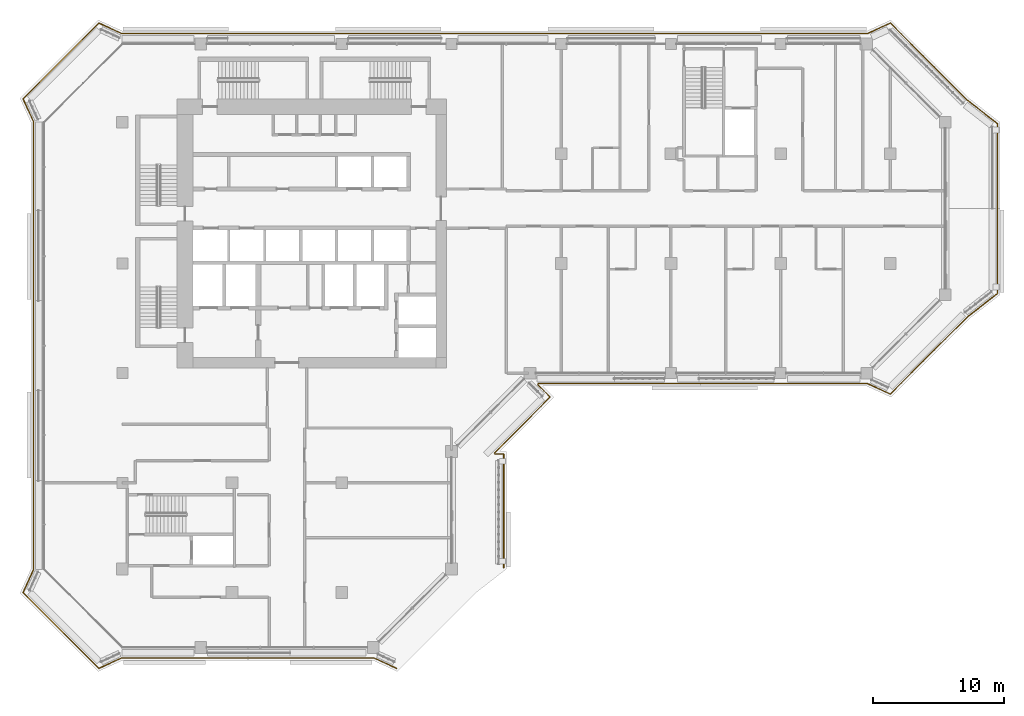
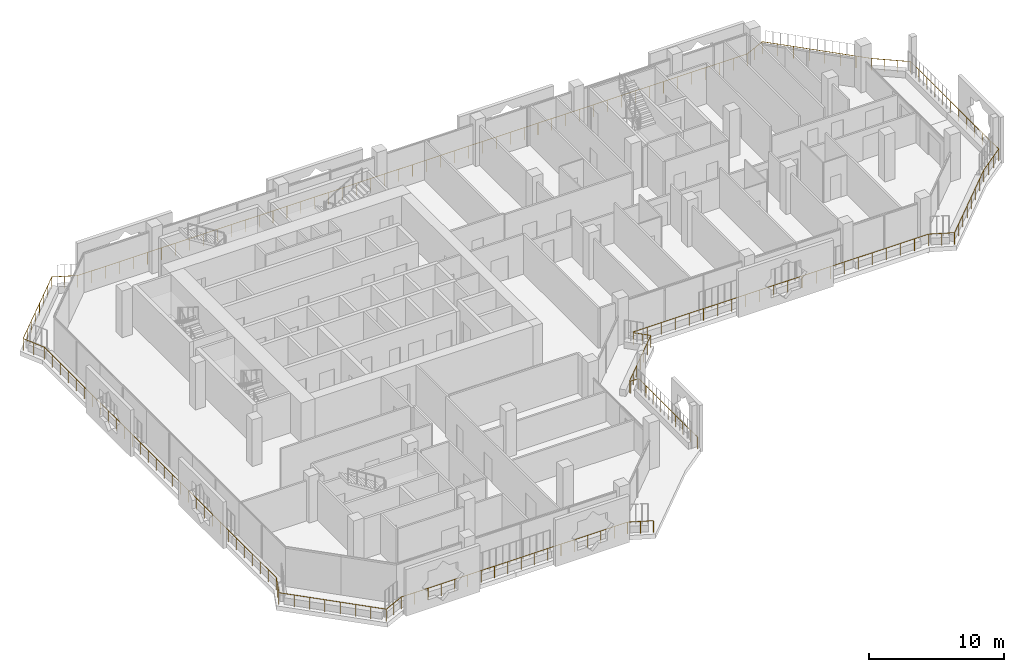
# One storey, part 17 of 21: 1 railing.
"""IFC4 building model written with IfcOpenShell, lengths in metres."""

from ifc_helpers import new_model, si_unit, direction, frame, origin, origin_2d, place, context, subcontext, project, spatial, circle, extrude, material, type_object, element, save


model = new_model("IFC4")

# Units and contexts
model_context = context("Model", 3, precision=1e-05, world=origin(), true_north=direction((0.0, 1.0)))
body_context = subcontext(model_context, "Body", "Model", "MODEL_VIEW")
ifc_project = project(units=[si_unit("LENGTHUNIT", "METRE"), si_unit("AREAUNIT", "SQUARE_METRE"), si_unit("VOLUMEUNIT", "CUBIC_METRE"), si_unit("PLANEANGLEUNIT", "RADIAN"), si_unit("MASSUNIT", "GRAM", prefix="KILO")], contexts=[model_context])

# Site, building, storey
site_placement = place(None, origin())
site = spatial("IfcSite", under=ifc_project, at=site_placement, CompositionType="ELEMENT")
building_placement = place(site_placement, origin())
building = spatial("IfcBuilding", under=site, at=building_placement, Name="Kawkab Arch Medical Tower", CompositionType="ELEMENT")
storey_placement = place(building_placement, frame((0.0, 0.0, 243.199951171875)))
storey = spatial("IfcBuildingStorey", under=building, at=storey_placement, Name="L56", CompositionType="ELEMENT", Elevation=243.199951171875)

# Railing
ifc_material = material(Name="Bronze anodised aluminium guard", Category="aluminium")
railing_type = type_object("IfcRailingType", Name="Loggia and terrace guard 1100", PredefinedType="GUARDRAIL", material=ifc_material)
railing_placement = place(storey_placement, frame((20.9951171875, -47.798095703125, 0.0)))
element("IfcRailing", 1, at=railing_placement, inside=storey, type_object=railing_type, Name="Guard L56.LOG-01.1.1", PredefinedType="GUARDRAIL", context=body_context, shape_type="SweptSolid", body=[
    extrude(circle(Radius=0.02392578125, at=origin_2d()), frame((0.0, 0.0, 1.076171875), z_axis=(-0.910044860056, 0.414509773934, 0.0), x_axis=(-0.414509773934, -0.910044860056, 0.0)), (0.0, 0.0, 1.0), 1.92529296875),
    extrude(circle(Radius=0.02392578125, at=origin_2d()), frame((-1.752197265625, 0.798095703125, 1.076171875), z_axis=(-1.0, 0.0, 0.0), x_axis=(0.0, -1.0, 0.0)), (0.0, 0.0, 1.0), 19.285888671875),
    extrude(circle(Radius=0.02392578125, at=origin_2d()), frame((-21.0380859375, 0.798095703125, 1.076171875), z_axis=(-0.910023069687, -0.414557610759, 0.0), x_axis=(0.414557610759, -0.910023069687, 0.0)), (0.0, 0.0, 1.0), 1.92529296875),
    extrude(circle(Radius=0.02392578125, at=origin_2d()), frame((-22.7900390625, 0.0, 1.076171875), z_axis=(-0.707106781187, 0.707106781187, 0.0), x_axis=(-0.707106781187, -0.707106781187, 0.0)), (0.0, 0.0, 1.0), 8.20654296875),
    extrude(circle(Radius=0.02392578125, at=origin_2d()), frame((-28.593017578125, 5.802978515625, 1.076171875), z_axis=(0.414404752076, 0.910092688388, 0.0), x_axis=(-0.910092688388, 0.414404752076, 0.0)), (0.0, 0.0, 1.0), 1.92529296875),
    extrude(circle(Radius=0.02392578125, at=origin_2d()), frame((-27.795166015625, 7.55517578125, 1.076171875), z_axis=(0.0, 1.0, 0.0), x_axis=(-1.0, 0.0, 0.0)), (0.0, 0.0, 1.0), 34.285888671875),
    extrude(circle(Radius=0.02392578125, at=origin_2d()), frame((-27.795166015625, 41.841064453125, 1.076171875), z_axis=(-0.414452581809, 0.910070907914, 0.0), x_axis=(-0.910070907914, -0.414452581809, 0.0)), (0.0, 0.0, 1.0), 1.925048828125),
    extrude(circle(Radius=0.02392578125, at=origin_2d()), frame((-28.593017578125, 43.593017578125, 1.076171875), z_axis=(0.707106781187, 0.707106781187, 0.0), x_axis=(-0.707106781187, 0.707106781187, 0.0)), (0.0, 0.0, 1.0), 8.20654296875),
    extrude(circle(Radius=0.02392578125, at=origin_2d()), frame((-22.7900390625, 49.39599609375, 1.076171875), z_axis=(0.910070907914, -0.414452581809, 0.0), x_axis=(0.414452581809, 0.910070907914, 0.0)), (0.0, 0.0, 1.0), 1.925048828125),
    extrude(circle(Radius=0.02392578125, at=origin_2d()), frame((-21.0380859375, 48.59814453125, 1.076171875), z_axis=(1.0, 0.0, 0.0), x_axis=(0.0, 1.0, 0.0)), (0.0, 0.0, 1.0), 57.0859375),
    extrude(circle(Radius=0.02392578125, at=origin_2d()), frame((36.0478515625, 48.59814453125, 1.076171875), z_axis=(0.910070907914, 0.414452581809, 0.0), x_axis=(-0.414452581809, 0.910070907914, 0.0)), (0.0, 0.0, 1.0), 1.925048828125),
    extrude(circle(Radius=0.02392578125, at=origin_2d()), frame((37.7998046875, 49.39599609375, 1.076171875), z_axis=(0.707121386154, -0.707092175918, 0.0), x_axis=(0.707092175918, 0.707121386154, 0.0)), (0.0, 0.0, 1.0), 8.358154296875),
    extrude(circle(Radius=0.02392578125, at=origin_2d()), frame((43.7099609375, 43.486083984375, 1.076171875), z_axis=(0.789193964876, -0.614144026922, 0.0), x_axis=(0.614144026922, 0.789193964876, 0.0)), (0.0, 0.0, 1.0), 2.907958984375),
    extrude(circle(Radius=0.02392578125, at=origin_2d()), frame((46.0048828125, 41.7001953125, 1.076171875), z_axis=(0.0, -1.0, 0.0), x_axis=(1.0, 0.0, 0.0)), (0.0, 0.0, 1.0), 13.004150390625),
    extrude(circle(Radius=0.02392578125, at=origin_2d()), frame((46.0048828125, 28.696044921875, 1.076171875), z_axis=(-0.789193964876, -0.614144026922, 0.0), x_axis=(0.614144026922, -0.789193964876, 0.0)), (0.0, 0.0, 1.0), 2.907958984375),
    extrude(circle(Radius=0.02392578125, at=origin_2d()), frame((43.7099609375, 26.91015625, 1.076171875), z_axis=(-0.707106781187, -0.707106781187, 0.0), x_axis=(0.707106781187, -0.707106781187, 0.0)), (0.0, 0.0, 1.0), 8.358154296875),
    extrude(circle(Radius=0.02392578125, at=origin_2d()), frame((37.7998046875, 21.0, 1.076171875), z_axis=(-0.910023069687, 0.414557610759, 0.0), x_axis=(-0.414557610759, -0.910023069687, 0.0)), (0.0, 0.0, 1.0), 1.92529296875),
    extrude(circle(Radius=0.02392578125, at=origin_2d()), frame((36.0478515625, 21.798095703125, 1.076171875), z_axis=(-1.0, 0.0, 0.0), x_axis=(0.0, -1.0, 0.0)), (0.0, 0.0, 1.0), 25.19287109375),
    extrude(circle(Radius=0.02392578125, at=origin_2d()), frame((10.85498046875, 21.798095703125, 1.076171875), z_axis=(-0.383763674343, -0.923431341387, 0.0), x_axis=(0.923431341387, -0.383763674343, 0.0)), (0.0, 0.0, 1.0), 0.101806640625),
    extrude(circle(Radius=0.02392578125, at=origin_2d()), frame((10.81591796875, 21.7041015625, 1.076171875), z_axis=(0.707015335112, -0.707198215437, 0.0), x_axis=(0.707198215437, 0.707015335112, 0.0)), (0.0, 0.0, 1.0), 1.3349609375),
    extrude(circle(Radius=0.02392578125, at=origin_2d()), frame((11.759765625, 20.760009765625, 1.076171875), z_axis=(-0.707025867263, -0.707187685852, 0.0), x_axis=(0.707187685852, -0.707025867263, 0.0)), (0.0, 0.0, 1.0), 6.034912109375),
    extrude(circle(Radius=0.02392578125, at=origin_2d()), frame((7.492919921875, 16.4921875, 1.076171875), z_axis=(0.383763674343, -0.923431341387, 0.0), x_axis=(0.923431341387, 0.383763674343, 0.0)), (0.0, 0.0, 1.0), 0.101806640625),
    extrude(circle(Radius=0.02392578125, at=origin_2d()), frame((7.531982421875, 16.398193359375, 1.076171875), z_axis=(1.0, 0.0, 0.0), x_axis=(0.0, 1.0, 0.0)), (0.0, 0.0, 1.0), 0.6728515625),
    extrude(circle(Radius=0.02392578125, at=origin_2d()), frame((8.204833984375, 16.398193359375, 1.076171875), z_axis=(0.0, -1.0, 0.0), x_axis=(1.0, 0.0, 0.0)), (0.0, 0.0, 1.0), 8.7021484375),
    extrude(circle(Radius=0.02099609375, at=origin_2d()), origin(), (0.0, 0.0, 1.0), 1.052001953125),
    extrude(circle(Radius=0.02099609375, at=origin_2d()), frame((-0.8759765625, 0.39892578125, 0.0)), (0.0, 0.0, 1.0), 1.052001953125),
    extrude(circle(Radius=0.02099609375, at=origin_2d()), frame((-1.752197265625, 0.798095703125, 0.0)), (0.0, 0.0, 1.0), 1.052001953125),
    extrude(circle(Radius=0.02099609375, at=origin_2d()), frame((-2.88671875, 0.798095703125, 0.0)), (0.0, 0.0, 1.0), 1.052001953125),
    extrude(circle(Radius=0.02099609375, at=origin_2d()), frame((-4.021240234375, 0.798095703125, 0.0)), (0.0, 0.0, 1.0), 1.052001953125),
    extrude(circle(Radius=0.02099609375, at=origin_2d()), frame((-5.155517578125, 0.798095703125, 0.0)), (0.0, 0.0, 1.0), 1.052001953125),
    extrude(circle(Radius=0.02099609375, at=origin_2d()), frame((-6.2900390625, 0.798095703125, 0.0)), (0.0, 0.0, 1.0), 1.052001953125),
    extrude(circle(Radius=0.02099609375, at=origin_2d()), frame((-7.424560546875, 0.798095703125, 0.0)), (0.0, 0.0, 1.0), 1.052001953125),
    extrude(circle(Radius=0.02099609375, at=origin_2d()), frame((-8.55908203125, 0.798095703125, 0.0)), (0.0, 0.0, 1.0), 1.052001953125),
    extrude(circle(Radius=0.02099609375, at=origin_2d()), frame((-9.693359375, 0.798095703125, 0.0)), (0.0, 0.0, 1.0), 1.052001953125),
    extrude(circle(Radius=0.02099609375, at=origin_2d()), frame((-10.827880859375, 0.798095703125, 0.0)), (0.0, 0.0, 1.0), 1.052001953125),
    extrude(circle(Radius=0.02099609375, at=origin_2d()), frame((-11.96240234375, 0.798095703125, 0.0)), (0.0, 0.0, 1.0), 1.052001953125),
    extrude(circle(Radius=0.02099609375, at=origin_2d()), frame((-13.096923828125, 0.798095703125, 0.0)), (0.0, 0.0, 1.0), 1.052001953125),
    extrude(circle(Radius=0.02099609375, at=origin_2d()), frame((-14.231201171875, 0.798095703125, 0.0)), (0.0, 0.0, 1.0), 1.052001953125),
    extrude(circle(Radius=0.02099609375, at=origin_2d()), frame((-15.36572265625, 0.798095703125, 0.0)), (0.0, 0.0, 1.0), 1.052001953125),
    extrude(circle(Radius=0.02099609375, at=origin_2d()), frame((-16.500244140625, 0.798095703125, 0.0)), (0.0, 0.0, 1.0), 1.052001953125),
    extrude(circle(Radius=0.02099609375, at=origin_2d()), frame((-17.634765625, 0.798095703125, 0.0)), (0.0, 0.0, 1.0), 1.052001953125),
    extrude(circle(Radius=0.02099609375, at=origin_2d()), frame((-18.76904296875, 0.798095703125, 0.0)), (0.0, 0.0, 1.0), 1.052001953125),
    extrude(circle(Radius=0.02099609375, at=origin_2d()), frame((-19.903564453125, 0.798095703125, 0.0)), (0.0, 0.0, 1.0), 1.052001953125),
    extrude(circle(Radius=0.02099609375, at=origin_2d()), frame((-21.0380859375, 0.798095703125, 0.0)), (0.0, 0.0, 1.0), 1.052001953125),
    extrude(circle(Radius=0.02099609375, at=origin_2d()), frame((-21.9140625, 0.39892578125, 0.0)), (0.0, 0.0, 1.0), 1.052001953125),
    extrude(circle(Radius=0.02099609375, at=origin_2d()), frame((-22.7900390625, 0.0, 0.0)), (0.0, 0.0, 1.0), 1.052001953125),
    extrude(circle(Radius=0.02099609375, at=origin_2d()), frame((-23.619140625, 0.8291015625, 0.0)), (0.0, 0.0, 1.0), 1.052001953125),
    extrude(circle(Radius=0.02099609375, at=origin_2d()), frame((-24.447998046875, 1.657958984375, 0.0)), (0.0, 0.0, 1.0), 1.052001953125),
    extrude(circle(Radius=0.02099609375, at=origin_2d()), frame((-25.277099609375, 2.487060546875, 0.0)), (0.0, 0.0, 1.0), 1.052001953125),
    extrude(circle(Radius=0.02099609375, at=origin_2d()), frame((-26.10595703125, 3.31591796875, 0.0)), (0.0, 0.0, 1.0), 1.052001953125),
    extrude(circle(Radius=0.02099609375, at=origin_2d()), frame((-26.93505859375, 4.14501953125, 0.0)), (0.0, 0.0, 1.0), 1.052001953125),
    extrude(circle(Radius=0.02099609375, at=origin_2d()), frame((-27.763916015625, 4.973876953125, 0.0)), (0.0, 0.0, 1.0), 1.052001953125),
    extrude(circle(Radius=0.02099609375, at=origin_2d()), frame((-28.593017578125, 5.802978515625, 0.0)), (0.0, 0.0, 1.0), 1.052001953125),
    extrude(circle(Radius=0.02099609375, at=origin_2d()), frame((-28.194091796875, 6.67919921875, 0.0)), (0.0, 0.0, 1.0), 1.052001953125),
    extrude(circle(Radius=0.02099609375, at=origin_2d()), frame((-27.795166015625, 7.55517578125, 0.0)), (0.0, 0.0, 1.0), 1.052001953125),
    extrude(circle(Radius=0.02099609375, at=origin_2d()), frame((-27.795166015625, 8.737548828125, 0.0)), (0.0, 0.0, 1.0), 1.052001953125),
    extrude(circle(Radius=0.02099609375, at=origin_2d()), frame((-27.795166015625, 9.919677734375, 0.0)), (0.0, 0.0, 1.0), 1.052001953125),
    extrude(circle(Radius=0.02099609375, at=origin_2d()), frame((-27.795166015625, 11.10205078125, 0.0)), (0.0, 0.0, 1.0), 1.052001953125),
    extrude(circle(Radius=0.02099609375, at=origin_2d()), frame((-27.795166015625, 12.2841796875, 0.0)), (0.0, 0.0, 1.0), 1.052001953125),
    extrude(circle(Radius=0.02099609375, at=origin_2d()), frame((-27.795166015625, 13.466552734375, 0.0)), (0.0, 0.0, 1.0), 1.052001953125),
    extrude(circle(Radius=0.02099609375, at=origin_2d()), frame((-27.795166015625, 14.64892578125, 0.0)), (0.0, 0.0, 1.0), 1.052001953125),
    extrude(circle(Radius=0.02099609375, at=origin_2d()), frame((-27.795166015625, 15.8310546875, 0.0)), (0.0, 0.0, 1.0), 1.052001953125),
    extrude(circle(Radius=0.02099609375, at=origin_2d()), frame((-27.795166015625, 17.013427734375, 0.0)), (0.0, 0.0, 1.0), 1.052001953125),
    extrude(circle(Radius=0.02099609375, at=origin_2d()), frame((-27.795166015625, 18.195556640625, 0.0)), (0.0, 0.0, 1.0), 1.052001953125),
    extrude(circle(Radius=0.02099609375, at=origin_2d()), frame((-27.795166015625, 19.3779296875, 0.0)), (0.0, 0.0, 1.0), 1.052001953125),
    extrude(circle(Radius=0.02099609375, at=origin_2d()), frame((-27.795166015625, 20.56005859375, 0.0)), (0.0, 0.0, 1.0), 1.052001953125),
    extrude(circle(Radius=0.02099609375, at=origin_2d()), frame((-27.795166015625, 21.742431640625, 0.0)), (0.0, 0.0, 1.0), 1.052001953125),
    extrude(circle(Radius=0.02099609375, at=origin_2d()), frame((-27.795166015625, 22.9248046875, 0.0)), (0.0, 0.0, 1.0), 1.052001953125),
    extrude(circle(Radius=0.02099609375, at=origin_2d()), frame((-27.795166015625, 24.10693359375, 0.0)), (0.0, 0.0, 1.0), 1.052001953125),
    extrude(circle(Radius=0.02099609375, at=origin_2d()), frame((-27.795166015625, 25.289306640625, 0.0)), (0.0, 0.0, 1.0), 1.052001953125),
    extrude(circle(Radius=0.02099609375, at=origin_2d()), frame((-27.795166015625, 26.471435546875, 0.0)), (0.0, 0.0, 1.0), 1.052001953125),
    extrude(circle(Radius=0.02099609375, at=origin_2d()), frame((-27.795166015625, 27.65380859375, 0.0)), (0.0, 0.0, 1.0), 1.052001953125),
    extrude(circle(Radius=0.02099609375, at=origin_2d()), frame((-27.795166015625, 28.836181640625, 0.0)), (0.0, 0.0, 1.0), 1.052001953125),
    extrude(circle(Radius=0.02099609375, at=origin_2d()), frame((-27.795166015625, 30.018310546875, 0.0)), (0.0, 0.0, 1.0), 1.052001953125),
    extrude(circle(Radius=0.02099609375, at=origin_2d()), frame((-27.795166015625, 31.20068359375, 0.0)), (0.0, 0.0, 1.0), 1.052001953125),
    extrude(circle(Radius=0.02099609375, at=origin_2d()), frame((-27.795166015625, 32.3828125, 0.0)), (0.0, 0.0, 1.0), 1.052001953125),
    extrude(circle(Radius=0.02099609375, at=origin_2d()), frame((-27.795166015625, 33.565185546875, 0.0)), (0.0, 0.0, 1.0), 1.052001953125),
    extrude(circle(Radius=0.02099609375, at=origin_2d()), frame((-27.795166015625, 34.747314453125, 0.0)), (0.0, 0.0, 1.0), 1.052001953125),
    extrude(circle(Radius=0.02099609375, at=origin_2d()), frame((-27.795166015625, 35.9296875, 0.0)), (0.0, 0.0, 1.0), 1.052001953125),
    extrude(circle(Radius=0.02099609375, at=origin_2d()), frame((-27.795166015625, 37.112060546875, 0.0)), (0.0, 0.0, 1.0), 1.052001953125),
    extrude(circle(Radius=0.02099609375, at=origin_2d()), frame((-27.795166015625, 38.294189453125, 0.0)), (0.0, 0.0, 1.0), 1.052001953125),
    extrude(circle(Radius=0.02099609375, at=origin_2d()), frame((-27.795166015625, 39.4765625, 0.0)), (0.0, 0.0, 1.0), 1.052001953125),
    extrude(circle(Radius=0.02099609375, at=origin_2d()), frame((-27.795166015625, 40.65869140625, 0.0)), (0.0, 0.0, 1.0), 1.052001953125),
    extrude(circle(Radius=0.02099609375, at=origin_2d()), frame((-27.795166015625, 41.841064453125, 0.0)), (0.0, 0.0, 1.0), 1.052001953125),
    extrude(circle(Radius=0.02099609375, at=origin_2d()), frame((-28.194091796875, 42.717041015625, 0.0)), (0.0, 0.0, 1.0), 1.052001953125),
    extrude(circle(Radius=0.02099609375, at=origin_2d()), frame((-28.593017578125, 43.593017578125, 0.0)), (0.0, 0.0, 1.0), 1.052001953125),
    extrude(circle(Radius=0.02099609375, at=origin_2d()), frame((-27.763916015625, 44.422119140625, 0.0)), (0.0, 0.0, 1.0), 1.052001953125),
    extrude(circle(Radius=0.02099609375, at=origin_2d()), frame((-26.93505859375, 45.2509765625, 0.0)), (0.0, 0.0, 1.0), 1.052001953125),
    extrude(circle(Radius=0.02099609375, at=origin_2d()), frame((-26.10595703125, 46.080078125, 0.0)), (0.0, 0.0, 1.0), 1.052001953125),
    extrude(circle(Radius=0.02099609375, at=origin_2d()), frame((-25.277099609375, 46.908935546875, 0.0)), (0.0, 0.0, 1.0), 1.052001953125),
    extrude(circle(Radius=0.02099609375, at=origin_2d()), frame((-24.447998046875, 47.738037109375, 0.0)), (0.0, 0.0, 1.0), 1.052001953125),
    extrude(circle(Radius=0.02099609375, at=origin_2d()), frame((-23.619140625, 48.56689453125, 0.0)), (0.0, 0.0, 1.0), 1.052001953125),
    extrude(circle(Radius=0.02099609375, at=origin_2d()), frame((-22.7900390625, 49.39599609375, 0.0)), (0.0, 0.0, 1.0), 1.052001953125),
    extrude(circle(Radius=0.02099609375, at=origin_2d()), frame((-21.9140625, 48.9970703125, 0.0)), (0.0, 0.0, 1.0), 1.052001953125),
    extrude(circle(Radius=0.02099609375, at=origin_2d()), frame((-21.0380859375, 48.59814453125, 0.0)), (0.0, 0.0, 1.0), 1.052001953125),
    extrude(circle(Radius=0.02099609375, at=origin_2d()), frame((-19.848876953125, 48.59814453125, 0.0)), (0.0, 0.0, 1.0), 1.052001953125),
    extrude(circle(Radius=0.02099609375, at=origin_2d()), frame((-18.659423828125, 48.59814453125, 0.0)), (0.0, 0.0, 1.0), 1.052001953125),
    extrude(circle(Radius=0.02099609375, at=origin_2d()), frame((-17.47021484375, 48.59814453125, 0.0)), (0.0, 0.0, 1.0), 1.052001953125),
    extrude(circle(Radius=0.02099609375, at=origin_2d()), frame((-16.281005859375, 48.59814453125, 0.0)), (0.0, 0.0, 1.0), 1.052001953125),
    extrude(circle(Radius=0.02099609375, at=origin_2d()), frame((-15.091552734375, 48.59814453125, 0.0)), (0.0, 0.0, 1.0), 1.052001953125),
    extrude(circle(Radius=0.02099609375, at=origin_2d()), frame((-13.90234375, 48.59814453125, 0.0)), (0.0, 0.0, 1.0), 1.052001953125),
    extrude(circle(Radius=0.02099609375, at=origin_2d()), frame((-12.713134765625, 48.59814453125, 0.0)), (0.0, 0.0, 1.0), 1.052001953125),
    extrude(circle(Radius=0.02099609375, at=origin_2d()), frame((-11.523681640625, 48.59814453125, 0.0)), (0.0, 0.0, 1.0), 1.052001953125),
    extrude(circle(Radius=0.02099609375, at=origin_2d()), frame((-10.33447265625, 48.59814453125, 0.0)), (0.0, 0.0, 1.0), 1.052001953125),
    extrude(circle(Radius=0.02099609375, at=origin_2d()), frame((-9.145263671875, 48.59814453125, 0.0)), (0.0, 0.0, 1.0), 1.052001953125),
    extrude(circle(Radius=0.02099609375, at=origin_2d()), frame((-7.955810546875, 48.59814453125, 0.0)), (0.0, 0.0, 1.0), 1.052001953125),
    extrude(circle(Radius=0.02099609375, at=origin_2d()), frame((-6.7666015625, 48.59814453125, 0.0)), (0.0, 0.0, 1.0), 1.052001953125),
    extrude(circle(Radius=0.02099609375, at=origin_2d()), frame((-5.577392578125, 48.59814453125, 0.0)), (0.0, 0.0, 1.0), 1.052001953125),
    extrude(circle(Radius=0.02099609375, at=origin_2d()), frame((-4.387939453125, 48.59814453125, 0.0)), (0.0, 0.0, 1.0), 1.052001953125),
    extrude(circle(Radius=0.02099609375, at=origin_2d()), frame((-3.19873046875, 48.59814453125, 0.0)), (0.0, 0.0, 1.0), 1.052001953125),
    extrude(circle(Radius=0.02099609375, at=origin_2d()), frame((-2.009521484375, 48.59814453125, 0.0)), (0.0, 0.0, 1.0), 1.052001953125),
    extrude(circle(Radius=0.02099609375, at=origin_2d()), frame((-0.820068359375, 48.59814453125, 0.0)), (0.0, 0.0, 1.0), 1.052001953125),
    extrude(circle(Radius=0.02099609375, at=origin_2d()), frame((0.369140625, 48.59814453125, 0.0)), (0.0, 0.0, 1.0), 1.052001953125),
    extrude(circle(Radius=0.02099609375, at=origin_2d()), frame((1.558349609375, 48.59814453125, 0.0)), (0.0, 0.0, 1.0), 1.052001953125),
    extrude(circle(Radius=0.02099609375, at=origin_2d()), frame((2.747802734375, 48.59814453125, 0.0)), (0.0, 0.0, 1.0), 1.052001953125),
    extrude(circle(Radius=0.02099609375, at=origin_2d()), frame((3.93701171875, 48.59814453125, 0.0)), (0.0, 0.0, 1.0), 1.052001953125),
    extrude(circle(Radius=0.02099609375, at=origin_2d()), frame((5.126220703125, 48.59814453125, 0.0)), (0.0, 0.0, 1.0), 1.052001953125),
    extrude(circle(Radius=0.02099609375, at=origin_2d()), frame((6.315673828125, 48.59814453125, 0.0)), (0.0, 0.0, 1.0), 1.052001953125),
    extrude(circle(Radius=0.02099609375, at=origin_2d()), frame((7.5048828125, 48.59814453125, 0.0)), (0.0, 0.0, 1.0), 1.052001953125),
    extrude(circle(Radius=0.02099609375, at=origin_2d()), frame((8.694091796875, 48.59814453125, 0.0)), (0.0, 0.0, 1.0), 1.052001953125),
    extrude(circle(Radius=0.02099609375, at=origin_2d()), frame((9.883544921875, 48.59814453125, 0.0)), (0.0, 0.0, 1.0), 1.052001953125),
    extrude(circle(Radius=0.02099609375, at=origin_2d()), frame((11.07275390625, 48.59814453125, 0.0)), (0.0, 0.0, 1.0), 1.052001953125),
    extrude(circle(Radius=0.02099609375, at=origin_2d()), frame((12.261962890625, 48.59814453125, 0.0)), (0.0, 0.0, 1.0), 1.052001953125),
    extrude(circle(Radius=0.02099609375, at=origin_2d()), frame((13.451416015625, 48.59814453125, 0.0)), (0.0, 0.0, 1.0), 1.052001953125),
    extrude(circle(Radius=0.02099609375, at=origin_2d()), frame((14.640625, 48.59814453125, 0.0)), (0.0, 0.0, 1.0), 1.052001953125),
    extrude(circle(Radius=0.02099609375, at=origin_2d()), frame((15.829833984375, 48.59814453125, 0.0)), (0.0, 0.0, 1.0), 1.052001953125),
    extrude(circle(Radius=0.02099609375, at=origin_2d()), frame((17.019287109375, 48.59814453125, 0.0)), (0.0, 0.0, 1.0), 1.052001953125),
    extrude(circle(Radius=0.02099609375, at=origin_2d()), frame((18.20849609375, 48.59814453125, 0.0)), (0.0, 0.0, 1.0), 1.052001953125),
    extrude(circle(Radius=0.02099609375, at=origin_2d()), frame((19.397705078125, 48.59814453125, 0.0)), (0.0, 0.0, 1.0), 1.052001953125),
    extrude(circle(Radius=0.02099609375, at=origin_2d()), frame((20.587158203125, 48.59814453125, 0.0)), (0.0, 0.0, 1.0), 1.052001953125),
    extrude(circle(Radius=0.02099609375, at=origin_2d()), frame((21.7763671875, 48.59814453125, 0.0)), (0.0, 0.0, 1.0), 1.052001953125),
    extrude(circle(Radius=0.02099609375, at=origin_2d()), frame((22.965576171875, 48.59814453125, 0.0)), (0.0, 0.0, 1.0), 1.052001953125),
    extrude(circle(Radius=0.02099609375, at=origin_2d()), frame((24.155029296875, 48.59814453125, 0.0)), (0.0, 0.0, 1.0), 1.052001953125),
    extrude(circle(Radius=0.02099609375, at=origin_2d()), frame((25.34423828125, 48.59814453125, 0.0)), (0.0, 0.0, 1.0), 1.052001953125),
    extrude(circle(Radius=0.02099609375, at=origin_2d()), frame((26.533447265625, 48.59814453125, 0.0)), (0.0, 0.0, 1.0), 1.052001953125),
    extrude(circle(Radius=0.02099609375, at=origin_2d()), frame((27.722900390625, 48.59814453125, 0.0)), (0.0, 0.0, 1.0), 1.052001953125),
    extrude(circle(Radius=0.02099609375, at=origin_2d()), frame((28.912109375, 48.59814453125, 0.0)), (0.0, 0.0, 1.0), 1.052001953125),
    extrude(circle(Radius=0.02099609375, at=origin_2d()), frame((30.101318359375, 48.59814453125, 0.0)), (0.0, 0.0, 1.0), 1.052001953125),
    extrude(circle(Radius=0.02099609375, at=origin_2d()), frame((31.290771484375, 48.59814453125, 0.0)), (0.0, 0.0, 1.0), 1.052001953125),
    extrude(circle(Radius=0.02099609375, at=origin_2d()), frame((32.47998046875, 48.59814453125, 0.0)), (0.0, 0.0, 1.0), 1.052001953125),
    extrude(circle(Radius=0.02099609375, at=origin_2d()), frame((33.669189453125, 48.59814453125, 0.0)), (0.0, 0.0, 1.0), 1.052001953125),
    extrude(circle(Radius=0.02099609375, at=origin_2d()), frame((34.858642578125, 48.59814453125, 0.0)), (0.0, 0.0, 1.0), 1.052001953125),
    extrude(circle(Radius=0.02099609375, at=origin_2d()), frame((36.0478515625, 48.59814453125, 0.0)), (0.0, 0.0, 1.0), 1.052001953125),
    extrude(circle(Radius=0.02099609375, at=origin_2d()), frame((36.923828125, 48.9970703125, 0.0)), (0.0, 0.0, 1.0), 1.052001953125),
    extrude(circle(Radius=0.02099609375, at=origin_2d()), frame((37.7998046875, 49.39599609375, 0.0)), (0.0, 0.0, 1.0), 1.052001953125),
    extrude(circle(Radius=0.02099609375, at=origin_2d()), frame((38.64404296875, 48.5517578125, 0.0)), (0.0, 0.0, 1.0), 1.052001953125),
    extrude(circle(Radius=0.02099609375, at=origin_2d()), frame((39.488525390625, 47.70751953125, 0.0)), (0.0, 0.0, 1.0), 1.052001953125),
    extrude(circle(Radius=0.02099609375, at=origin_2d()), frame((40.332763671875, 46.86328125, 0.0)), (0.0, 0.0, 1.0), 1.052001953125),
    extrude(circle(Radius=0.02099609375, at=origin_2d()), frame((41.177001953125, 46.018798828125, 0.0)), (0.0, 0.0, 1.0), 1.052001953125),
    extrude(circle(Radius=0.02099609375, at=origin_2d()), frame((42.021240234375, 45.174560546875, 0.0)), (0.0, 0.0, 1.0), 1.052001953125),
    extrude(circle(Radius=0.02099609375, at=origin_2d()), frame((42.86572265625, 44.330322265625, 0.0)), (0.0, 0.0, 1.0), 1.052001953125),
    extrude(circle(Radius=0.02099609375, at=origin_2d()), frame((43.7099609375, 43.486083984375, 0.0)), (0.0, 0.0, 1.0), 1.052001953125),
    extrude(circle(Radius=0.02099609375, at=origin_2d()), frame((44.474853515625, 42.890869140625, 0.0)), (0.0, 0.0, 1.0), 1.052001953125),
    extrude(circle(Radius=0.02099609375, at=origin_2d()), frame((45.239990234375, 42.29541015625, 0.0)), (0.0, 0.0, 1.0), 1.052001953125),
    extrude(circle(Radius=0.02099609375, at=origin_2d()), frame((46.0048828125, 41.7001953125, 0.0)), (0.0, 0.0, 1.0), 1.052001953125),
    extrude(circle(Radius=0.02099609375, at=origin_2d()), frame((46.0048828125, 40.51806640625, 0.0)), (0.0, 0.0, 1.0), 1.052001953125),
    extrude(circle(Radius=0.02099609375, at=origin_2d()), frame((46.0048828125, 39.335693359375, 0.0)), (0.0, 0.0, 1.0), 1.052001953125),
    extrude(circle(Radius=0.02099609375, at=origin_2d()), frame((46.0048828125, 38.153564453125, 0.0)), (0.0, 0.0, 1.0), 1.052001953125),
    extrude(circle(Radius=0.02099609375, at=origin_2d()), frame((46.0048828125, 36.971435546875, 0.0)), (0.0, 0.0, 1.0), 1.052001953125),
    extrude(circle(Radius=0.02099609375, at=origin_2d()), frame((46.0048828125, 35.789306640625, 0.0)), (0.0, 0.0, 1.0), 1.052001953125),
    extrude(circle(Radius=0.02099609375, at=origin_2d()), frame((46.0048828125, 34.60693359375, 0.0)), (0.0, 0.0, 1.0), 1.052001953125),
    extrude(circle(Radius=0.02099609375, at=origin_2d()), frame((46.0048828125, 33.4248046875, 0.0)), (0.0, 0.0, 1.0), 1.052001953125),
    extrude(circle(Radius=0.02099609375, at=origin_2d()), frame((46.0048828125, 32.24267578125, 0.0)), (0.0, 0.0, 1.0), 1.052001953125),
    extrude(circle(Radius=0.02099609375, at=origin_2d()), frame((46.0048828125, 31.060546875, 0.0)), (0.0, 0.0, 1.0), 1.052001953125),
    extrude(circle(Radius=0.02099609375, at=origin_2d()), frame((46.0048828125, 29.878173828125, 0.0)), (0.0, 0.0, 1.0), 1.052001953125),
    extrude(circle(Radius=0.02099609375, at=origin_2d()), frame((46.0048828125, 28.696044921875, 0.0)), (0.0, 0.0, 1.0), 1.052001953125),
    extrude(circle(Radius=0.02099609375, at=origin_2d()), frame((45.239990234375, 28.100830078125, 0.0)), (0.0, 0.0, 1.0), 1.052001953125),
    extrude(circle(Radius=0.02099609375, at=origin_2d()), frame((44.474853515625, 27.50537109375, 0.0)), (0.0, 0.0, 1.0), 1.052001953125),
    extrude(circle(Radius=0.02099609375, at=origin_2d()), frame((43.7099609375, 26.91015625, 0.0)), (0.0, 0.0, 1.0), 1.052001953125),
    extrude(circle(Radius=0.02099609375, at=origin_2d()), frame((42.86572265625, 26.06591796875, 0.0)), (0.0, 0.0, 1.0), 1.052001953125),
    extrude(circle(Radius=0.02099609375, at=origin_2d()), frame((42.021240234375, 25.221435546875, 0.0)), (0.0, 0.0, 1.0), 1.052001953125),
    extrude(circle(Radius=0.02099609375, at=origin_2d()), frame((41.177001953125, 24.377197265625, 0.0)), (0.0, 0.0, 1.0), 1.052001953125),
    extrude(circle(Radius=0.02099609375, at=origin_2d()), frame((40.332763671875, 23.532958984375, 0.0)), (0.0, 0.0, 1.0), 1.052001953125),
    extrude(circle(Radius=0.02099609375, at=origin_2d()), frame((39.488525390625, 22.688720703125, 0.0)), (0.0, 0.0, 1.0), 1.052001953125),
    extrude(circle(Radius=0.02099609375, at=origin_2d()), frame((38.64404296875, 21.84423828125, 0.0)), (0.0, 0.0, 1.0), 1.052001953125),
    extrude(circle(Radius=0.02099609375, at=origin_2d()), frame((37.7998046875, 21.0, 0.0)), (0.0, 0.0, 1.0), 1.052001953125),
    extrude(circle(Radius=0.02099609375, at=origin_2d()), frame((36.923828125, 21.39892578125, 0.0)), (0.0, 0.0, 1.0), 1.052001953125),
    extrude(circle(Radius=0.02099609375, at=origin_2d()), frame((36.0478515625, 21.798095703125, 0.0)), (0.0, 0.0, 1.0), 1.052001953125),
    extrude(circle(Radius=0.02099609375, at=origin_2d()), frame((34.84814453125, 21.798095703125, 0.0)), (0.0, 0.0, 1.0), 1.052001953125),
    extrude(circle(Radius=0.02099609375, at=origin_2d()), frame((33.6484375, 21.798095703125, 0.0)), (0.0, 0.0, 1.0), 1.052001953125),
    extrude(circle(Radius=0.02099609375, at=origin_2d()), frame((32.448974609375, 21.798095703125, 0.0)), (0.0, 0.0, 1.0), 1.052001953125),
    extrude(circle(Radius=0.02099609375, at=origin_2d()), frame((31.249267578125, 21.798095703125, 0.0)), (0.0, 0.0, 1.0), 1.052001953125),
    extrude(circle(Radius=0.02099609375, at=origin_2d()), frame((30.049560546875, 21.798095703125, 0.0)), (0.0, 0.0, 1.0), 1.052001953125),
    extrude(circle(Radius=0.02099609375, at=origin_2d()), frame((28.849853515625, 21.798095703125, 0.0)), (0.0, 0.0, 1.0), 1.052001953125),
    extrude(circle(Radius=0.02099609375, at=origin_2d()), frame((27.650146484375, 21.798095703125, 0.0)), (0.0, 0.0, 1.0), 1.052001953125),
    extrude(circle(Radius=0.02099609375, at=origin_2d()), frame((26.45068359375, 21.798095703125, 0.0)), (0.0, 0.0, 1.0), 1.052001953125),
    extrude(circle(Radius=0.02099609375, at=origin_2d()), frame((25.2509765625, 21.798095703125, 0.0)), (0.0, 0.0, 1.0), 1.052001953125),
    extrude(circle(Radius=0.02099609375, at=origin_2d()), frame((24.05126953125, 21.798095703125, 0.0)), (0.0, 0.0, 1.0), 1.052001953125),
    extrude(circle(Radius=0.02099609375, at=origin_2d()), frame((22.8515625, 21.798095703125, 0.0)), (0.0, 0.0, 1.0), 1.052001953125),
    extrude(circle(Radius=0.02099609375, at=origin_2d()), frame((21.65185546875, 21.798095703125, 0.0)), (0.0, 0.0, 1.0), 1.052001953125),
    extrude(circle(Radius=0.02099609375, at=origin_2d()), frame((20.4521484375, 21.798095703125, 0.0)), (0.0, 0.0, 1.0), 1.052001953125),
    extrude(circle(Radius=0.02099609375, at=origin_2d()), frame((19.252685546875, 21.798095703125, 0.0)), (0.0, 0.0, 1.0), 1.052001953125),
    extrude(circle(Radius=0.02099609375, at=origin_2d()), frame((18.052978515625, 21.798095703125, 0.0)), (0.0, 0.0, 1.0), 1.052001953125),
    extrude(circle(Radius=0.02099609375, at=origin_2d()), frame((16.853271484375, 21.798095703125, 0.0)), (0.0, 0.0, 1.0), 1.052001953125),
    extrude(circle(Radius=0.02099609375, at=origin_2d()), frame((15.653564453125, 21.798095703125, 0.0)), (0.0, 0.0, 1.0), 1.052001953125),
    extrude(circle(Radius=0.02099609375, at=origin_2d()), frame((14.453857421875, 21.798095703125, 0.0)), (0.0, 0.0, 1.0), 1.052001953125),
    extrude(circle(Radius=0.02099609375, at=origin_2d()), frame((13.25439453125, 21.798095703125, 0.0)), (0.0, 0.0, 1.0), 1.052001953125),
    extrude(circle(Radius=0.02099609375, at=origin_2d()), frame((12.0546875, 21.798095703125, 0.0)), (0.0, 0.0, 1.0), 1.052001953125),
    extrude(circle(Radius=0.02099609375, at=origin_2d()), frame((10.85498046875, 21.798095703125, 0.0)), (0.0, 0.0, 1.0), 1.052001953125),
    extrude(circle(Radius=0.02099609375, at=origin_2d()), frame((10.81591796875, 21.7041015625, 0.0)), (0.0, 0.0, 1.0), 1.052001953125),
    extrude(circle(Radius=0.02099609375, at=origin_2d()), frame((11.287841796875, 21.23193359375, 0.0)), (0.0, 0.0, 1.0), 1.052001953125),
    extrude(circle(Radius=0.02099609375, at=origin_2d()), frame((11.759765625, 20.760009765625, 0.0)), (0.0, 0.0, 1.0), 1.052001953125),
    extrude(circle(Radius=0.02099609375, at=origin_2d()), frame((11.048583984375, 20.048828125, 0.0)), (0.0, 0.0, 1.0), 1.052001953125),
    extrude(circle(Radius=0.02099609375, at=origin_2d()), frame((10.33740234375, 19.33740234375, 0.0)), (0.0, 0.0, 1.0), 1.052001953125),
    extrude(circle(Radius=0.02099609375, at=origin_2d()), frame((9.62646484375, 18.6259765625, 0.0)), (0.0, 0.0, 1.0), 1.052001953125),
    extrude(circle(Radius=0.02099609375, at=origin_2d()), frame((8.915283203125, 17.914794921875, 0.0)), (0.0, 0.0, 1.0), 1.052001953125),
    extrude(circle(Radius=0.02099609375, at=origin_2d()), frame((8.2041015625, 17.20361328125, 0.0)), (0.0, 0.0, 1.0), 1.052001953125),
    extrude(circle(Radius=0.02099609375, at=origin_2d()), frame((7.492919921875, 16.4921875, 0.0)), (0.0, 0.0, 1.0), 1.052001953125),
    extrude(circle(Radius=0.02099609375, at=origin_2d()), frame((7.531982421875, 16.398193359375, 0.0)), (0.0, 0.0, 1.0), 1.052001953125),
    extrude(circle(Radius=0.02099609375, at=origin_2d()), frame((8.204833984375, 16.398193359375, 0.0)), (0.0, 0.0, 1.0), 1.052001953125),
    extrude(circle(Radius=0.02099609375, at=origin_2d()), frame((8.204833984375, 15.310546875, 0.0)), (0.0, 0.0, 1.0), 1.052001953125),
    extrude(circle(Radius=0.02099609375, at=origin_2d()), frame((8.204833984375, 14.22265625, 0.0)), (0.0, 0.0, 1.0), 1.052001953125),
    extrude(circle(Radius=0.02099609375, at=origin_2d()), frame((8.204833984375, 13.134765625, 0.0)), (0.0, 0.0, 1.0), 1.052001953125),
    extrude(circle(Radius=0.02099609375, at=origin_2d()), frame((8.204833984375, 12.047119140625, 0.0)), (0.0, 0.0, 1.0), 1.052001953125),
    extrude(circle(Radius=0.02099609375, at=origin_2d()), frame((8.204833984375, 10.95947265625, 0.0)), (0.0, 0.0, 1.0), 1.052001953125),
    extrude(circle(Radius=0.02099609375, at=origin_2d()), frame((8.204833984375, 9.87158203125, 0.0)), (0.0, 0.0, 1.0), 1.052001953125),
    extrude(circle(Radius=0.02099609375, at=origin_2d()), frame((8.204833984375, 8.78369140625, 0.0)), (0.0, 0.0, 1.0), 1.052001953125),
    extrude(circle(Radius=0.02099609375, at=origin_2d()), frame((8.204833984375, 7.696044921875, 0.0)), (0.0, 0.0, 1.0), 1.052001953125),
])

save(model, "model.ifc")
